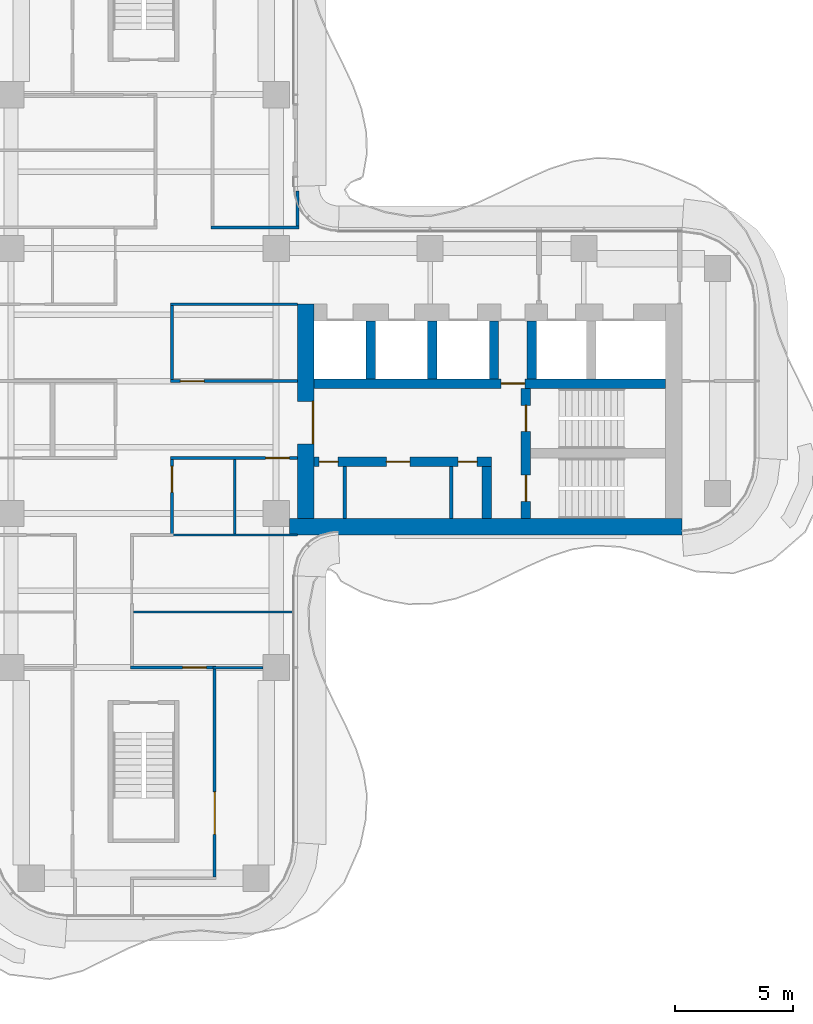
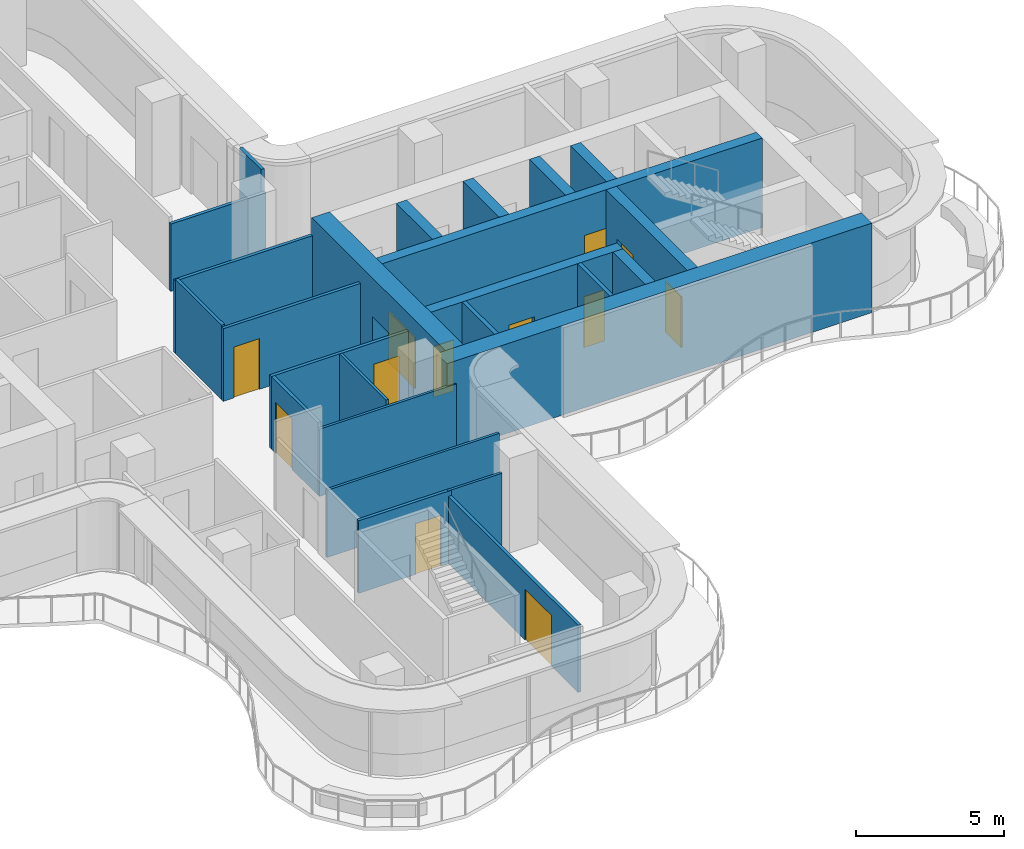
# One storey, part 13 of 17: 25 walls, 12 doors, 12 openings.
"""IFC4 building model written with IfcOpenShell, lengths in metres."""

from ifc_helpers import new_model, si_unit, direction, frame, frame_2d, origin, place, context, subcontext, project, spatial, rectangle, extrude, source, transform, mapped, material, layer, layer_set, type_object, element, fill, save


model = new_model("IFC4")

# Units and contexts
model_context = context("Model", 3, precision=1e-05, world=origin(), true_north=direction((0.0, 1.0)))
body_context = subcontext(model_context, "Body", "Model", "MODEL_VIEW")
ifc_project = project(units=[si_unit("LENGTHUNIT", "METRE"), si_unit("AREAUNIT", "SQUARE_METRE"), si_unit("VOLUMEUNIT", "CUBIC_METRE"), si_unit("PLANEANGLEUNIT", "RADIAN"), si_unit("MASSUNIT", "GRAM", prefix="KILO")], contexts=[model_context])

# Site, building, storey
site_placement = place(None, origin())
site = spatial("IfcSite", under=ifc_project, at=site_placement, CompositionType="ELEMENT")
building_placement = place(site_placement, origin())
building = spatial("IfcBuilding", under=site, at=building_placement, Name="Trellis Farm Tower", CompositionType="ELEMENT")
storey_placement = place(building_placement, frame((0.0, 0.0, 259.699951171875)))
storey = spatial("IfcBuildingStorey", under=building, at=storey_placement, Name="L58", CompositionType="ELEMENT", Elevation=259.699951171875)

# Wall, opening, door
ifc_material_1 = material(Name="Concrete C60/75", Category="concrete")
ifc_layer_1 = layer(ifc_material_1, 0.699951171875)
ifc_layer_set_1 = layer_set([ifc_layer_1], Name="CORE OUTER WALL 700 CONCRETE C60/75")
wall_type_1 = type_object("IfcWallType", Name="CORE OUTER WALL 700 CONCRETE C60/75", PredefinedType="SHEAR", material=ifc_layer_set_1)
shared_shape_1 = source(origin(), body_context, "Body", "SweptSolid", [
    extrude(rectangle(XDim=9.050048828125, YDim=0.699951171875, at=frame_2d((4.52490234375, 0.0))), origin(), (0.0, 0.0, 1.0), 3.699951171875),
])
wall_1_placement = place(storey_placement, frame((6.85009765625, -5.800048828125, 0.0), z_axis=(0.0, 0.0, 1.0), x_axis=(0.0, 1.0, 0.0)))
wall_1 = element("IfcWall", 1, at=wall_1_placement, inside=storey, type_object=wall_type_1, Name="Core wall", PredefinedType="SHEAR", context=body_context, shape_type="MappedRepresentation", body=[
    mapped(shared_shape_1, transform((0.0, 0.0, 0.0))),
])
shared_shape_2 = source(origin(), body_context, "Body", "SweptSolid", [
    extrude(rectangle(XDim=1.800048828125, YDim=2.10009765625, at=frame_2d((0.89990234375, 1.050048828125))), frame((0.0, 0.360107421875, 0.0), z_axis=(0.0, -1.0, 0.0), x_axis=(1.0, 0.0, 0.0)), (0.0, 0.0, 1.0), 0.72021484375),
])
opening_1_placement = place(wall_1_placement, frame((3.14990234375, 0.0, 0.0)))
opening_1 = element("IfcOpeningElement", 2, at=opening_1_placement, cuts=wall_1, Name="Opening DC1", PredefinedType="OPENING", context=body_context, shape_type="MappedRepresentation", body=[
    mapped(shared_shape_2, transform((0.0, 0.0, 0.0))),
])
ifc_material_2 = material(Name="Steel", Category="steel")
door_type_1 = type_object("IfcDoorType", Name="CORE FIRE DOOR DOUBLE 1800 X 2100", OperationType="DOUBLE_DOOR_SINGLE_SWING", PredefinedType="DOOR", material=ifc_material_2)
shared_shape_3 = source(origin(), body_context, "Body", "SweptSolid", [
    extrude(rectangle(XDim=1.800048828125, YDim=2.10009765625, at=frame_2d((0.89990234375, 1.050048828125))), frame((0.0, -0.27490234375, 0.0), z_axis=(0.0, -1.0, 0.0), x_axis=(1.0, 0.0, 0.0)), (0.0, 0.0, 1.0), 0.050048828125),
])
door_1_placement = place(opening_1_placement, origin())
door_1 = element("IfcDoor", 3, at=door_1_placement, inside=storey, type_object=door_type_1, Name="Core door", OperationType="DOUBLE_DOOR_SINGLE_SWING", OverallHeight=2.10009765625, OverallWidth=1.800048828125, PredefinedType="DOOR", context=body_context, shape_type="MappedRepresentation", body=[
    mapped(shared_shape_3, transform((0.0, 0.0, 0.0))),
])
fill(opening_1, door_1)

# Walls
ifc_layer_2 = layer(ifc_material_1, 0.39990234375)
ifc_layer_set_2 = layer_set([ifc_layer_2], Name="CORE INNER WALL 400 CONCRETE C60/75")
wall_type_2 = type_object("IfcWallType", Name="CORE INNER WALL 400 CONCRETE C60/75", PredefinedType="SHEAR", material=ifc_layer_set_2)
shared_shape_4 = source(origin(), body_context, "Body", "SweptSolid", [
    extrude(rectangle(XDim=2.449951171875, YDim=0.39990234375, at=frame_2d((1.22509765625, 0.0))), origin(), (0.0, 0.0, 1.0), 3.699951171875),
])
for number, where, z_axis, x_axis, name in (
    (4, (9.60009765625, 0.10009765625, 0.0), (0.0, 0.0, 1.0), (0.0, 1.0, 0.0), "Core wall"),
    (5, (12.199951171875, 0.10009765625, 0.0), (0.0, 0.0, 1.0), (0.0, 1.0, 0.0), "Core wall"),
    (6, (14.800048828125, 0.10009765625, 0.0), (0.0, 0.0, 1.0), (0.0, 1.0, 0.0), "Core wall"),
    (7, (16.39990234375, 0.10009765625, 0.0), (0.0, 0.0, 1.0), (0.0, 1.0, 0.0), "Core wall"),
):
    element("IfcWall", number, at=place(storey_placement, frame(where, z_axis=z_axis, x_axis=x_axis)), inside=storey, type_object=wall_type_2, Name=name, PredefinedType="SHEAR", context=body_context, shape_type="MappedRepresentation", body=[
        mapped(shared_shape_4, transform((0.0, 0.0, 0.0))),
    ])

# Wall, openings, doors
shared_shape_5 = source(origin(), body_context, "Body", "SweptSolid", [
    extrude(rectangle(XDim=7.5, YDim=0.39990234375, at=frame_2d((3.75, 0.0))), origin(), (0.0, 0.0, 1.0), 3.699951171875),
])
wall_2_placement = place(storey_placement, frame((7.199951171875, -3.39990234375, 0.0), z_axis=(0.0, 0.0, 1.0), x_axis=(1.0, 0.0, 0.0)))
wall_2 = element("IfcWall", 8, at=wall_2_placement, inside=storey, type_object=wall_type_2, Name="Core wall", PredefinedType="SHEAR", context=body_context, shape_type="MappedRepresentation", body=[
    mapped(shared_shape_5, transform((0.0, 0.0, 0.0))),
])
shared_shape_6 = source(origin(), body_context, "Body", "SweptSolid", [
    extrude(rectangle(XDim=0.800048828125, YDim=2.10009765625, at=frame_2d((0.39990234375, 1.050048828125))), frame((0.0, 0.2099609375, 0.0), z_axis=(0.0, -1.0, 0.0), x_axis=(1.0, 0.0, 0.0)), (0.0, 0.0, 1.0), 0.419921875),
])
opening_2_placement = place(wall_2_placement, frame((0.21240234375, 0.0, 0.0)))
opening_2 = element("IfcOpeningElement", 9, at=opening_2_placement, cuts=wall_2, Name="Opening DC51", PredefinedType="OPENING", context=body_context, shape_type="MappedRepresentation", body=[
    mapped(shared_shape_6, transform((0.0, 0.0, 0.0))),
])
shared_shape_7 = source(origin(), body_context, "Body", "SweptSolid", [
    extrude(rectangle(XDim=1.0, YDim=2.10009765625, at=frame_2d((0.5, 1.050048828125))), frame((0.0, 0.2099609375, 0.0), z_axis=(0.0, -1.0, 0.0), x_axis=(1.0, 0.0, 0.0)), (0.0, 0.0, 1.0), 0.419921875),
])
opening_3_placement = place(wall_2_placement, frame((3.050048828125, 0.0, 0.0)))
opening_3 = element("IfcOpeningElement", 10, at=opening_3_placement, cuts=wall_2, Name="Opening DC62", PredefinedType="OPENING", context=body_context, shape_type="MappedRepresentation", body=[
    mapped(shared_shape_7, transform((0.0, 0.0, 0.0))),
])
opening_4_placement = place(wall_2_placement, frame((6.08740234375, 0.0, 0.0)))
opening_4 = element("IfcOpeningElement", 11, at=opening_4_placement, cuts=wall_2, Name="Opening DC63", PredefinedType="OPENING", context=body_context, shape_type="MappedRepresentation", body=[
    mapped(shared_shape_6, transform((0.0, 0.0, 0.0))),
])
door_type_2 = type_object("IfcDoorType", Name="CORE FIRE DOOR 1000 X 2100", OperationType="NOTDEFINED", PredefinedType="DOOR", material=ifc_material_2)
shared_shape_8 = source(origin(), body_context, "Body", "SweptSolid", [
    extrude(rectangle(XDim=1.0, YDim=2.10009765625, at=frame_2d((0.5, 1.050048828125))), frame((0.0, 0.02490234375, 0.0), z_axis=(0.0, -1.0, 0.0), x_axis=(1.0, 0.0, 0.0)), (0.0, 0.0, 1.0), 0.050048828125),
])
door_2_placement = place(opening_3_placement, origin())
door_2 = element("IfcDoor", 12, at=door_2_placement, inside=storey, type_object=door_type_2, Name="Core door", OperationType="SINGLE_SWING_RIGHT", OverallHeight=2.10009765625, OverallWidth=1.0, PredefinedType="DOOR", context=body_context, shape_type="MappedRepresentation", body=[
    mapped(shared_shape_8, transform((0.0, 0.0, 0.0))),
])
fill(opening_3, door_2)
door_type_3 = type_object("IfcDoorType", Name="CORE FIRE DOOR 800 X 2100", OperationType="NOTDEFINED", PredefinedType="DOOR", material=ifc_material_2)
shared_shape_9 = source(origin(), body_context, "Body", "SweptSolid", [
    extrude(rectangle(XDim=0.800048828125, YDim=2.10009765625, at=frame_2d((0.39990234375, 1.050048828125))), frame((0.0, 0.02490234375, 0.0), z_axis=(0.0, -1.0, 0.0), x_axis=(1.0, 0.0, 0.0)), (0.0, 0.0, 1.0), 0.050048828125),
])
door_3_placement = place(opening_2_placement, origin())
door_3 = element("IfcDoor", 13, at=door_3_placement, inside=storey, type_object=door_type_3, Name="Core door", OperationType="SINGLE_SWING_LEFT", OverallHeight=2.10009765625, OverallWidth=0.800048828125, PredefinedType="DOOR", context=body_context, shape_type="MappedRepresentation", body=[
    mapped(shared_shape_9, transform((0.0, 0.0, 0.0))),
])
fill(opening_2, door_3)
door_4_placement = place(opening_4_placement, origin())
door_4 = element("IfcDoor", 14, at=door_4_placement, inside=storey, type_object=door_type_3, Name="Core door", OperationType="SINGLE_SWING_LEFT", OverallHeight=2.10009765625, OverallWidth=0.800048828125, PredefinedType="DOOR", context=body_context, shape_type="MappedRepresentation", body=[
    mapped(shared_shape_9, transform((0.0, 0.0, 0.0))),
])
fill(opening_4, door_4)

# Wall, opening, door
shared_shape_10 = source(origin(), body_context, "Body", "SweptSolid", [
    extrude(rectangle(XDim=14.85009765625, YDim=0.39990234375, at=frame_2d((7.425048828125, 0.0))), origin(), (0.0, 0.0, 1.0), 3.699951171875),
])
wall_3_placement = place(storey_placement, frame((7.199951171875, -0.10009765625, 0.0), z_axis=(0.0, 0.0, 1.0), x_axis=(1.0, 0.0, 0.0)))
wall_3 = element("IfcWall", 15, at=wall_3_placement, inside=storey, type_object=wall_type_2, Name="Core wall", PredefinedType="SHEAR", context=body_context, shape_type="MappedRepresentation", body=[
    mapped(shared_shape_10, transform((0.0, 0.0, 0.0))),
])
opening_5_placement = place(wall_3_placement, frame((7.89990234375, 0.0, 0.0)))
opening_5 = element("IfcOpeningElement", 16, at=opening_5_placement, cuts=wall_3, Name="Opening DC5", PredefinedType="OPENING", context=body_context, shape_type="MappedRepresentation", body=[
    mapped(shared_shape_7, transform((0.0, 0.0, 0.0))),
])
door_5_placement = place(opening_5_placement, origin())
door_5 = element("IfcDoor", 17, at=door_5_placement, inside=storey, type_object=door_type_2, Name="Core door", OperationType="SINGLE_SWING_RIGHT", OverallHeight=2.10009765625, OverallWidth=1.0, PredefinedType="DOOR", context=body_context, shape_type="MappedRepresentation", body=[
    mapped(shared_shape_8, transform((0.0, 0.0, 0.0))),
])
fill(opening_5, door_5)

# Wall, openings, doors
shared_shape_11 = source(origin(), body_context, "Body", "SweptSolid", [
    extrude(rectangle(XDim=5.5, YDim=0.39990234375, at=frame_2d((2.75, 0.0))), origin(), (0.0, 0.0, 1.0), 3.699951171875),
])
wall_4_placement = place(storey_placement, frame((16.14990234375, -5.800048828125, 0.0), z_axis=(0.0, 0.0, 1.0), x_axis=(0.0, 1.0, 0.0)))
wall_4 = element("IfcWall", 18, at=wall_4_placement, inside=storey, type_object=wall_type_2, Name="Core wall", PredefinedType="SHEAR", context=body_context, shape_type="MappedRepresentation", body=[
    mapped(shared_shape_11, transform((0.0, 0.0, 0.0))),
])
shared_shape_12 = source(origin(), body_context, "Body", "SweptSolid", [
    extrude(rectangle(XDim=1.10009765625, YDim=2.10009765625, at=frame_2d((0.550048828125, 1.050048828125))), frame((0.0, 0.2099609375, 0.0), z_axis=(0.0, -1.0, 0.0), x_axis=(1.0, 0.0, 0.0)), (0.0, 0.0, 1.0), 0.419921875),
])
opening_6_placement = place(wall_4_placement, frame((0.72509765625, 0.0, 0.0)))
opening_6 = element("IfcOpeningElement", 19, at=opening_6_placement, cuts=wall_4, Name="Opening DC2", PredefinedType="OPENING", context=body_context, shape_type="MappedRepresentation", body=[
    mapped(shared_shape_12, transform((0.0, 0.0, 0.0))),
])
opening_7_placement = place(wall_4_placement, frame((3.675048828125, 0.0, 0.0)))
opening_7 = element("IfcOpeningElement", 20, at=opening_7_placement, cuts=wall_4, Name="Opening DC3", PredefinedType="OPENING", context=body_context, shape_type="MappedRepresentation", body=[
    mapped(shared_shape_12, transform((0.0, 0.0, 0.0))),
])
door_type_4 = type_object("IfcDoorType", Name="CORE FIRE DOOR 1100 X 2100", OperationType="NOTDEFINED", PredefinedType="DOOR", material=ifc_material_2)
shared_shape_13 = source(origin(), body_context, "Body", "SweptSolid", [
    extrude(rectangle(XDim=1.10009765625, YDim=2.10009765625, at=frame_2d((0.550048828125, 1.050048828125))), frame((0.0, 0.02490234375, 0.0), z_axis=(0.0, -1.0, 0.0), x_axis=(1.0, 0.0, 0.0)), (0.0, 0.0, 1.0), 0.050048828125),
])
door_6_placement = place(opening_6_placement, origin())
door_6 = element("IfcDoor", 21, at=door_6_placement, inside=storey, type_object=door_type_4, Name="Core door", OperationType="SINGLE_SWING_RIGHT", OverallHeight=2.10009765625, OverallWidth=1.10009765625, PredefinedType="DOOR", context=body_context, shape_type="MappedRepresentation", body=[
    mapped(shared_shape_13, transform((0.0, 0.0, 0.0))),
])
fill(opening_6, door_6)
door_7_placement = place(opening_7_placement, origin())
door_7 = element("IfcDoor", 22, at=door_7_placement, inside=storey, type_object=door_type_4, Name="Core door", OperationType="SINGLE_SWING_LEFT", OverallHeight=2.10009765625, OverallWidth=1.10009765625, PredefinedType="DOOR", context=body_context, shape_type="MappedRepresentation", body=[
    mapped(shared_shape_13, transform((0.0, 0.0, 0.0))),
])
fill(opening_7, door_7)

# Walls
shared_shape_14 = source(origin(), body_context, "Body", "SweptSolid", [
    extrude(rectangle(XDim=2.199951171875, YDim=0.39990234375, at=frame_2d((1.10009765625, 0.0))), origin(), (0.0, 0.0, 1.0), 3.699951171875),
])
wall_5_placement = place(storey_placement, frame((14.5, -5.800048828125, 0.0), z_axis=(0.0, 0.0, 1.0), x_axis=(0.0, 1.0, 0.0)))
element("IfcWall", 23, at=wall_5_placement, inside=storey, type_object=wall_type_2, Name="Core wall", PredefinedType="SHEAR", context=body_context, shape_type="MappedRepresentation", body=[
    mapped(shared_shape_14, transform((0.0, 0.0, 0.0))),
])
ifc_material_3 = material(Name="Masonry blockwork", Category="masonry")
ifc_layer_3 = layer(ifc_material_3, 0.14990234375)
ifc_layer_set_3 = layer_set([ifc_layer_3], Name="CORE PARTITION 150 BLOCKWORK")
wall_type_3 = type_object("IfcWallType", Name="CORE PARTITION 150 BLOCKWORK", PredefinedType="PARTITIONING", material=ifc_layer_set_3)
shared_shape_15 = source(origin(), body_context, "Body", "SweptSolid", [
    extrude(rectangle(XDim=2.199951171875, YDim=0.14990234375, at=frame_2d((1.10009765625, 0.0))), origin(), (0.0, 0.0, 1.0), 3.699951171875),
])
for number, where, z_axis, x_axis, name in (
    (24, (8.5, -5.800048828125, 0.0), (0.0, 0.0, 1.0), (0.0, 1.0, 0.0), "Core room partition"),
    (25, (13.0, -5.800048828125, 0.0), (0.0, 0.0, 1.0), (0.0, 1.0, 0.0), "Core room partition"),
):
    element("IfcWall", number, at=place(storey_placement, frame(where, z_axis=z_axis, x_axis=x_axis)), inside=storey, type_object=wall_type_3, Name=name, PredefinedType="PARTITIONING", context=body_context, shape_type="MappedRepresentation", body=[
        mapped(shared_shape_15, transform((0.0, 0.0, 0.0))),
    ])
shared_shape_16 = source(origin(), body_context, "Body", "SweptSolid", [
    extrude(rectangle(XDim=16.60009765625, YDim=0.699951171875, at=frame_2d((8.300048828125, 0.0))), origin(), (0.0, 0.0, 1.0), 3.699951171875),
])
wall_6_placement = place(storey_placement, frame((6.14990234375, -6.14990234375, 0.0), z_axis=(0.0, 0.0, 1.0), x_axis=(1.0, 0.0, 0.0)))
element("IfcWall", 26, at=wall_6_placement, inside=storey, type_object=wall_type_1, Name="Core wall", PredefinedType="SHEAR", context=body_context, shape_type="MappedRepresentation", body=[
    mapped(shared_shape_16, transform((0.0, 0.0, 0.0))),
])

# Wall, opening, door
ifc_material_4 = material(Name="Plasterboard on steel studs, mineral wool", Category="steel")
ifc_layer_4 = layer(ifc_material_4, 0.125)
ifc_layer_set_4 = layer_set([ifc_layer_4], Name="PARTITION 125 STUD EI 60")
wall_type_4 = type_object("IfcWallType", Name="PARTITION 125 STUD EI 60", PredefinedType="PARTITIONING", material=ifc_layer_set_4)
shared_shape_17 = source(origin(), body_context, "Body", "SweptSolid", [
    extrude(rectangle(XDim=3.137451171875, YDim=0.125, at=frame_2d((1.56884765625, 0.0))), origin(), (0.0, 0.0, 1.0), 2.99658203125),
])
wall_7_placement = place(storey_placement, frame((1.199951171875, -3.3125, 0.0), z_axis=(0.0, 0.0, 1.0), x_axis=(0.0, -1.0, 0.0)))
wall_7 = element("IfcWall", 27, at=wall_7_placement, inside=storey, type_object=wall_type_4, Name="Partition PW1", PredefinedType="PARTITIONING", context=body_context, shape_type="MappedRepresentation", body=[
    mapped(shared_shape_17, transform((0.0, 0.0, 0.0))),
])
shared_shape_18 = source(origin(), body_context, "Body", "SweptSolid", [
    extrude(rectangle(XDim=1.10009765625, YDim=2.10009765625, at=frame_2d((0.550048828125, 1.050048828125))), frame((0.0, 0.072509765625, 0.0), z_axis=(0.0, -1.0, 0.0), x_axis=(1.0, 0.0, 0.0)), (0.0, 0.0, 1.0), 0.14501953125),
])
opening_8_placement = place(wall_7_placement, frame((0.28759765625, 0.0, 0.0)))
opening_8 = element("IfcOpeningElement", 28, at=opening_8_placement, cuts=wall_7, Name="Opening D501", PredefinedType="OPENING", context=body_context, shape_type="MappedRepresentation", body=[
    mapped(shared_shape_18, transform((0.0, 0.0, 0.0))),
])
ifc_material_5 = material(Name="Fire-rated timber door leaf in a hollow metal frame", Category="wood")
door_type_5 = type_object("IfcDoorType", Name="DOOR 1100x2100 FD30S", OperationType="NOTDEFINED", PredefinedType="DOOR", material=ifc_material_5)
door_8_placement = place(opening_8_placement, origin())
door_8 = element("IfcDoor", 29, at=door_8_placement, inside=storey, type_object=door_type_5, Name="Door D501", OperationType="SINGLE_SWING_LEFT", OverallHeight=2.10009765625, OverallWidth=1.10009765625, PredefinedType="DOOR", context=body_context, shape_type="MappedRepresentation", body=[
    mapped(shared_shape_13, transform((0.0, 0.0, 0.0))),
])
fill(opening_8, door_8)

# Walls
shared_shape_19 = source(origin(), body_context, "Body", "SweptSolid", [
    extrude(rectangle(XDim=3.125, YDim=0.125, at=frame_2d((1.5625, 0.0))), origin(), (0.0, 0.0, 1.0), 3.06787109375),
])
wall_8_placement = place(storey_placement, frame((1.199951171875, 3.1875, 0.0), z_axis=(0.0, 0.0, 1.0), x_axis=(0.0, -1.0, 0.0)))
element("IfcWall", 30, at=wall_8_placement, inside=storey, type_object=wall_type_4, Name="Partition PW1", PredefinedType="PARTITIONING", context=body_context, shape_type="MappedRepresentation", body=[
    mapped(shared_shape_19, transform((0.0, 0.0, 0.0))),
])
shared_shape_20 = source(origin(), body_context, "Body", "SweptSolid", [
    extrude(rectangle(XDim=1.468994140625, YDim=0.125, at=frame_2d((0.734375, 0.0))), origin(), (0.0, 0.0, 1.0), 3.699951171875),
])
wall_9_placement = place(storey_placement, frame((6.5, 6.5625, 0.0), z_axis=(0.0, 0.0, 1.0), x_axis=(0.0, 1.0, 0.0)))
element("IfcWall", 31, at=wall_9_placement, inside=storey, type_object=wall_type_4, Name="Partition PW1", PredefinedType="PARTITIONING", context=body_context, shape_type="MappedRepresentation", body=[
    mapped(shared_shape_20, transform((0.0, 0.0, 0.0))),
])

# Wall, opening, door
shared_shape_21 = source(origin(), body_context, "Body", "SweptSolid", [
    extrude(rectangle(XDim=5.362548828125, YDim=0.125, at=frame_2d((2.68115234375, 0.0))), origin(), (0.0, 0.0, 1.0), 2.99658203125),
])
wall_10_placement = place(storey_placement, frame((6.5, -3.25, 0.0), z_axis=(0.0, 0.0, 1.0), x_axis=(-1.0, 0.0, 0.0)))
wall_10 = element("IfcWall", 32, at=wall_10_placement, inside=storey, type_object=wall_type_4, Name="Partition PW1", PredefinedType="PARTITIONING", context=body_context, shape_type="MappedRepresentation", body=[
    mapped(shared_shape_21, transform((0.0, 0.0, 0.0))),
])
shared_shape_22 = source(origin(), body_context, "Body", "SweptSolid", [
    extrude(rectangle(XDim=1.0, YDim=2.10009765625, at=frame_2d((0.5, 1.050048828125))), frame((0.0, 0.072509765625, 0.0), z_axis=(0.0, -1.0, 0.0), x_axis=(1.0, 0.0, 0.0)), (0.0, 0.0, 1.0), 0.14501953125),
])
opening_9_placement = place(wall_10_placement, frame((0.35009765625, 0.0, 0.0)))
opening_9 = element("IfcOpeningElement", 33, at=opening_9_placement, cuts=wall_10, Name="Opening D107", PredefinedType="OPENING", context=body_context, shape_type="MappedRepresentation", body=[
    mapped(shared_shape_22, transform((0.0, 0.0, 0.0))),
])
door_type_6 = type_object("IfcDoorType", Name="DOOR 1000x2100 FD30S", OperationType="NOTDEFINED", PredefinedType="DOOR", material=ifc_material_5)
door_9_placement = place(opening_9_placement, origin())
door_9 = element("IfcDoor", 34, at=door_9_placement, inside=storey, type_object=door_type_6, Name="Door D107", OperationType="SINGLE_SWING_LEFT", OverallHeight=2.10009765625, OverallWidth=1.0, PredefinedType="DOOR", context=body_context, shape_type="MappedRepresentation", body=[
    mapped(shared_shape_8, transform((0.0, 0.0, 0.0))),
])
fill(opening_9, door_9)

wall_11_placement = place(storey_placement, frame((6.5, 0.0, 0.0), z_axis=(0.0, 0.0, 1.0), x_axis=(-1.0, 0.0, 0.0)))
wall_11 = element("IfcWall", 35, at=wall_11_placement, inside=storey, type_object=wall_type_4, Name="Partition PW1", PredefinedType="PARTITIONING", context=body_context, shape_type="MappedRepresentation", body=[
    mapped(shared_shape_21, transform((0.0, 0.0, 0.0))),
])
opening_10_placement = place(wall_11_placement, frame((3.949951171875, 0.0, 0.0)))
opening_10 = element("IfcOpeningElement", 36, at=opening_10_placement, cuts=wall_11, Name="Opening D108", PredefinedType="OPENING", context=body_context, shape_type="MappedRepresentation", body=[
    mapped(shared_shape_22, transform((0.0, 0.0, 0.0))),
])
door_10_placement = place(opening_10_placement, origin())
door_10 = element("IfcDoor", 37, at=door_10_placement, inside=storey, type_object=door_type_6, Name="Door D108", OperationType="SINGLE_SWING_RIGHT", OverallHeight=2.10009765625, OverallWidth=1.0, PredefinedType="DOOR", context=body_context, shape_type="MappedRepresentation", body=[
    mapped(shared_shape_8, transform((0.0, 0.0, 0.0))),
])
fill(opening_10, door_10)

# Walls
wall_12_placement = place(storey_placement, frame((1.137451171875, 3.25, 0.0), z_axis=(0.0, 0.0, 1.0), x_axis=(1.0, 0.0, 0.0)))
element("IfcWall", 38, at=wall_12_placement, inside=storey, type_object=wall_type_4, Name="Partition PW1", PredefinedType="PARTITIONING", context=body_context, shape_type="MappedRepresentation", body=[
    mapped(shared_shape_21, transform((0.0, 0.0, 0.0))),
])
ifc_material_6 = material(Name="Plasterboard on steel studs", Category="steel")
ifc_layer_5 = layer(ifc_material_6, 0.10009765625)
ifc_layer_set_5 = layer_set([ifc_layer_5], Name="PARTITION 100 STUD EI 30")
wall_type_5 = type_object("IfcWallType", Name="PARTITION 100 STUD EI 30", PredefinedType="PARTITIONING", material=ifc_layer_set_5)
shared_shape_23 = source(origin(), body_context, "Body", "SweptSolid", [
    extrude(rectangle(XDim=5.362548828125, YDim=0.10009765625, at=frame_2d((2.68115234375, 0.0))), origin(), (0.0, 0.0, 1.0), 2.780029296875),
])
wall_13_placement = place(storey_placement, frame((1.137451171875, -6.5, 0.0), z_axis=(0.0, 0.0, 1.0), x_axis=(1.0, 0.0, 0.0)))
element("IfcWall", 39, at=wall_13_placement, inside=storey, type_object=wall_type_5, Name="Partition PW2", PredefinedType="PARTITIONING", context=body_context, shape_type="MappedRepresentation", body=[
    mapped(shared_shape_23, transform((0.0, 0.0, 0.0))),
])
shared_shape_24 = source(origin(), body_context, "Body", "SweptSolid", [
    extrude(rectangle(XDim=3.72509765625, YDim=0.125, at=frame_2d((1.862548828125, 0.0))), origin(), (0.0, 0.0, 1.0), 2.780029296875),
])
wall_14_placement = place(storey_placement, frame((2.83740234375, 6.5, 0.0), z_axis=(0.0, 0.0, 1.0), x_axis=(1.0, 0.0, 0.0)))
element("IfcWall", 40, at=wall_14_placement, inside=storey, type_object=wall_type_4, Name="Partition PW1", PredefinedType="PARTITIONING", context=body_context, shape_type="MappedRepresentation", body=[
    mapped(shared_shape_24, transform((0.0, 0.0, 0.0))),
])

# Wall, opening, door
shared_shape_25 = source(origin(), body_context, "Body", "SweptSolid", [
    extrude(rectangle(XDim=3.625, YDim=0.125, at=frame_2d((1.8125, 0.0))), origin(), (0.0, 0.0, 1.0), 2.99658203125),
])
wall_15_placement = place(storey_placement, frame((-0.5625, -12.10009765625, 0.0), z_axis=(0.0, 0.0, 1.0), x_axis=(1.0, 0.0, 0.0)))
wall_15 = element("IfcWall", 41, at=wall_15_placement, inside=storey, type_object=wall_type_4, Name="Partition PW1", PredefinedType="PARTITIONING", context=body_context, shape_type="MappedRepresentation", body=[
    mapped(shared_shape_25, transform((0.0, 0.0, 0.0))),
])
opening_11_placement = place(wall_15_placement, frame((2.21240234375, 0.0, 0.0)))
opening_11 = element("IfcOpeningElement", 42, at=opening_11_placement, cuts=wall_15, Name="Opening D102", PredefinedType="OPENING", context=body_context, shape_type="MappedRepresentation", body=[
    mapped(shared_shape_22, transform((0.0, 0.0, 0.0))),
])
door_11_placement = place(opening_11_placement, origin())
door_11 = element("IfcDoor", 43, at=door_11_placement, inside=storey, type_object=door_type_6, Name="Door D102", OperationType="SINGLE_SWING_RIGHT", OverallHeight=2.10009765625, OverallWidth=1.0, PredefinedType="DOOR", context=body_context, shape_type="MappedRepresentation", body=[
    mapped(shared_shape_8, transform((0.0, 0.0, 0.0))),
])
fill(opening_11, door_11)

# Wall
shared_shape_26 = source(origin(), body_context, "Body", "SweptSolid", [
    extrude(rectangle(XDim=6.737548828125, YDim=0.10009765625, at=frame_2d((3.36865234375, 0.0))), origin(), (0.0, 0.0, 1.0), 2.780029296875),
])
wall_16_placement = place(storey_placement, frame((-0.4375, -9.75, 0.0), z_axis=(0.0, 0.0, 1.0), x_axis=(1.0, 0.0, 0.0)))
element("IfcWall", 44, at=wall_16_placement, inside=storey, type_object=wall_type_5, Name="Partition PW2", PredefinedType="PARTITIONING", context=body_context, shape_type="MappedRepresentation", body=[
    mapped(shared_shape_26, transform((0.0, 0.0, 0.0))),
])

# Wall, opening, door
shared_shape_27 = source(origin(), body_context, "Body", "SweptSolid", [
    extrude(rectangle(XDim=8.78759765625, YDim=0.125, at=frame_2d((4.393798828125, 0.0))), origin(), (0.0, 0.0, 1.0), 2.780029296875),
])
wall_17_placement = place(storey_placement, frame((3.0, -12.14990234375, 0.0), z_axis=(0.0, 0.0, 1.0), x_axis=(0.0, -1.0, 0.0)))
wall_17 = element("IfcWall", 45, at=wall_17_placement, inside=storey, type_object=wall_type_4, Name="Partition PW1", PredefinedType="PARTITIONING", context=body_context, shape_type="MappedRepresentation", body=[
    mapped(shared_shape_27, transform((0.0, 0.0, 0.0))),
])
shared_shape_28 = source(origin(), body_context, "Body", "SweptSolid", [
    extrude(rectangle(XDim=1.800048828125, YDim=2.10009765625, at=frame_2d((0.89990234375, 1.050048828125))), frame((0.0, 0.072509765625, 0.0), z_axis=(0.0, -1.0, 0.0), x_axis=(1.0, 0.0, 0.0)), (0.0, 0.0, 1.0), 0.14501953125),
])
opening_12_placement = place(wall_17_placement, frame((5.199951171875, 0.0, 0.0)))
opening_12 = element("IfcOpeningElement", 46, at=opening_12_placement, cuts=wall_17, Name="Opening D201", PredefinedType="OPENING", context=body_context, shape_type="MappedRepresentation", body=[
    mapped(shared_shape_28, transform((0.0, 0.0, 0.0))),
])
door_type_7 = type_object("IfcDoorType", Name="DOOR PAIR 1800x2100 FD30S", OperationType="NOTDEFINED", PredefinedType="DOOR", material=ifc_material_5)
shared_shape_29 = source(origin(), body_context, "Body", "SweptSolid", [
    extrude(rectangle(XDim=1.800048828125, YDim=2.10009765625, at=frame_2d((0.89990234375, 1.050048828125))), frame((0.0, 0.02490234375, 0.0), z_axis=(0.0, -1.0, 0.0), x_axis=(1.0, 0.0, 0.0)), (0.0, 0.0, 1.0), 0.050048828125),
])
door_12_placement = place(opening_12_placement, origin())
door_12 = element("IfcDoor", 47, at=door_12_placement, inside=storey, type_object=door_type_7, Name="Door D201", OperationType="DOUBLE_DOOR_SINGLE_SWING", OverallHeight=2.10009765625, OverallWidth=1.800048828125, PredefinedType="DOOR", context=body_context, shape_type="MappedRepresentation", body=[
    mapped(shared_shape_29, transform((0.0, 0.0, 0.0))),
])
fill(opening_12, door_12)

# Walls
shared_shape_30 = source(origin(), body_context, "Body", "SweptSolid", [
    extrude(rectangle(XDim=3.137451171875, YDim=0.10009765625, at=frame_2d((1.56884765625, 0.0))), origin(), (0.0, 0.0, 1.0), 2.99658203125),
])
wall_18_placement = place(storey_placement, frame((3.85009765625, -6.449951171875, 0.0), z_axis=(0.0, 0.0, 1.0), x_axis=(0.0, 1.0, 0.0)))
element("IfcWall", 48, at=wall_18_placement, inside=storey, type_object=wall_type_5, Name="Partition PW2", PredefinedType="PARTITIONING", context=body_context, shape_type="MappedRepresentation", body=[
    mapped(shared_shape_30, transform((0.0, 0.0, 0.0))),
])
shared_shape_31 = source(origin(), body_context, "Body", "SweptSolid", [
    extrude(rectangle(XDim=2.112548828125, YDim=0.10009765625, at=frame_2d((1.05615234375, 0.0))), origin(), (0.0, 0.0, 1.0), 2.99658203125),
])
wall_19_placement = place(storey_placement, frame((2.9375, -12.10009765625, 0.0), z_axis=(0.0, 0.0, 1.0), x_axis=(1.0, 0.0, 0.0)))
element("IfcWall", 49, at=wall_19_placement, inside=storey, type_object=wall_type_5, Name="Partition PW2", PredefinedType="PARTITIONING", context=body_context, shape_type="MappedRepresentation", body=[
    mapped(shared_shape_31, transform((0.0, 0.0, 0.0))),
])

save(model, "model.ifc")
